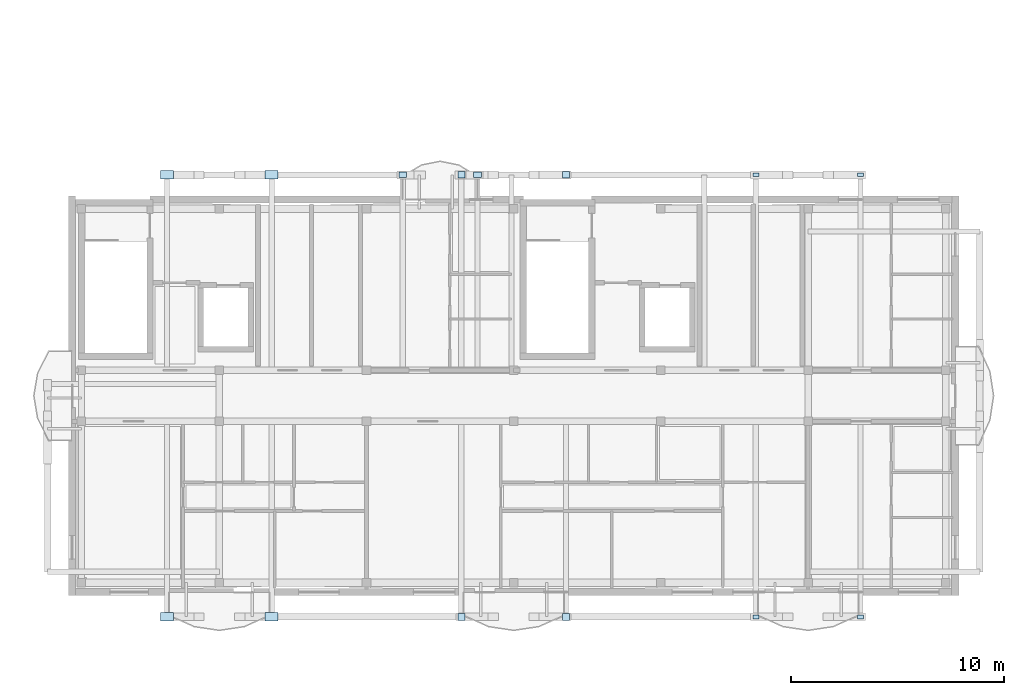
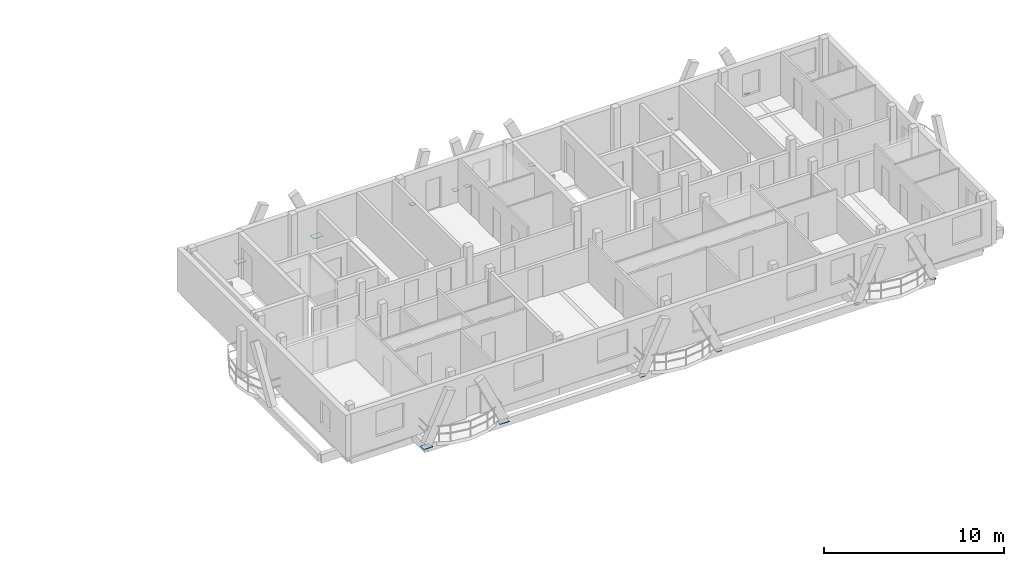
# One storey, part 11 of 41: 14 plates.
"""IFC4 building model written with IfcOpenShell, lengths in metres."""

from ifc_helpers import new_model, si_unit, direction, frame, origin, origin_2d, place, context, subcontext, project, spatial, rectangle, extrude, material, layer, layer_set, type_object, element, save


model = new_model("IFC4")

# Units and contexts
model_context = context("Model", 3, precision=1e-05, world=origin(), true_north=direction((0.0, 1.0)))
body_context = subcontext(model_context, "Body", "Model", "MODEL_VIEW")
ifc_project = project(units=[si_unit("LENGTHUNIT", "METRE"), si_unit("AREAUNIT", "SQUARE_METRE"), si_unit("VOLUMEUNIT", "CUBIC_METRE"), si_unit("PLANEANGLEUNIT", "RADIAN"), si_unit("MASSUNIT", "GRAM", prefix="KILO")], contexts=[model_context])

# Site, building, storey
site_placement = place(None, origin())
site = spatial("IfcSite", under=ifc_project, at=site_placement, CompositionType="ELEMENT")
building_placement = place(site_placement, origin())
building = spatial("IfcBuilding", under=site, at=building_placement, Name="Zavelmont Quarter", CompositionType="ELEMENT")
storey_placement = place(building_placement, frame((0.0, 0.0, 27.199951171875)))
storey = spatial("IfcBuildingStorey", under=building, at=storey_placement, Name="L08", CompositionType="ELEMENT", Elevation=27.199951171875)

# Plates
ifc_material = material(Name="Steel S355", Category="steel")
ifc_layer_1 = layer(ifc_material, 0.02001953125)
ifc_layer_set_1 = layer_set([ifc_layer_1], Name="Steel S355")
plate_type_1 = type_object("IfcPlateType", Name="NP01", PredefinedType="SHEET", material=ifc_layer_set_1)
for number, where, z_axis, x_axis, name in (
    (1, (158.647216796875, -1.162109375, -0.2099609375), (0.0, 0.0, 1.0), (1.0, 0.0, 0.0), "L08 steel connection plate NP01 at 24/A"),
    (2, (163.552734375, -1.162109375, -0.2099609375), (0.0, 0.0, 1.0), (1.0, 0.0, 0.0), "L08 steel connection plate NP01 at 24/A"),
    (3, (158.647216796875, 19.56201171875, -0.2099609375), (0.0, 0.0, 1.0), (1.0, 0.0, 0.0), "L08 steel connection plate NP01 at 24/D"),
    (4, (163.552734375, 19.56201171875, -0.2099609375), (0.0, 0.0, 1.0), (1.0, 0.0, 0.0), "L08 steel connection plate NP01 at 24/D"),
):
    element("IfcPlate", number, at=place(storey_placement, frame(where, z_axis=z_axis, x_axis=x_axis)), inside=storey, type_object=plate_type_1, Name=name, PredefinedType="SHEET", context=body_context, shape_type="SweptSolid", body=[
        extrude(rectangle(XDim=0.280029296875, YDim=0.179931640625, at=origin_2d()), origin(), (0.0, 0.0, 1.0), 0.02001953125),
    ])
ifc_layer_2 = layer(ifc_material, 0.02392578125)
ifc_layer_set_2 = layer_set([ifc_layer_2], Name="Steel S355")
plate_type_2 = type_object("IfcPlateType", Name="NP02", PredefinedType="SHEET", material=ifc_layer_set_2)
for number, where, z_axis, x_axis, name in (
    (5, (142.094482421875, 19.56201171875, -0.2119140625), (0.0, 0.0, 1.0), (1.0, 0.0, 0.0), "L08 steel connection plate NP02 at 21/D"),
    (6, (145.60546875, 19.56201171875, -0.2119140625), (0.0, 0.0, 1.0), (1.0, 0.0, 0.0), "L08 steel connection plate NP02 at 22/D"),
):
    element("IfcPlate", number, at=place(storey_placement, frame(where, z_axis=z_axis, x_axis=x_axis)), inside=storey, type_object=plate_type_2, Name=name, PredefinedType="SHEET", context=body_context, shape_type="SweptSolid", body=[
        extrude(rectangle(XDim=0.360107421875, YDim=0.260009765625, at=origin_2d()), origin(), (0.0, 0.0, 1.0), 0.02392578125),
    ])
ifc_layer_3 = layer(ifc_material, 0.030029296875)
ifc_layer_set_3 = layer_set([ifc_layer_3], Name="Steel S355")
plate_type_3 = type_object("IfcPlateType", Name="NP05", PredefinedType="SHEET", material=ifc_layer_set_3)
for number, where, z_axis, x_axis, name in (
    (7, (131.04736328125, -1.162109375, -0.21484375), (0.0, 0.0, 1.0), (1.0, 0.0, 0.0), "L08 steel connection plate NP05 at 20/A"),
    (8, (135.95263671875, -1.162109375, -0.21484375), (0.0, 0.0, 1.0), (1.0, 0.0, 0.0), "L08 steel connection plate NP05 at 20/A"),
    (9, (131.04736328125, 19.56201171875, -0.21484375), (0.0, 0.0, 1.0), (1.0, 0.0, 0.0), "L08 steel connection plate NP05 at 20/D"),
    (10, (135.95263671875, 19.56201171875, -0.21484375), (0.0, 0.0, 1.0), (1.0, 0.0, 0.0), "L08 steel connection plate NP05 at 20/D"),
):
    element("IfcPlate", number, at=place(storey_placement, frame(where, z_axis=z_axis, x_axis=x_axis)), inside=storey, type_object=plate_type_3, Name=name, PredefinedType="SHEET", context=body_context, shape_type="SweptSolid", body=[
        extrude(rectangle(XDim=0.60009765625, YDim=0.39990234375, at=origin_2d()), origin(), (0.0, 0.0, 1.0), 0.030029296875),
    ])
ifc_layer_4 = layer(ifc_material, 0.02197265625)
ifc_layer_set_4 = layer_set([ifc_layer_4], Name="Steel S355")
plate_type_4 = type_object("IfcPlateType", Name="NP06", PredefinedType="SHEET", material=ifc_layer_set_4)
for number, where, z_axis, x_axis, name in (
    (11, (144.847412109375, -1.162109375, -0.2109375), (0.0, 0.0, 1.0), (1.0, 0.0, 0.0), "L08 steel connection plate NP06 at 22/A"),
    (12, (149.752685546875, -1.162109375, -0.2109375), (0.0, 0.0, 1.0), (1.0, 0.0, 0.0), "L08 steel connection plate NP06 at 22/A"),
    (13, (144.847412109375, 19.56201171875, -0.2109375), (0.0, 0.0, 1.0), (1.0, 0.0, 0.0), "L08 steel connection plate NP06 at 22/D"),
    (14, (149.752685546875, 19.56201171875, -0.2109375), (0.0, 0.0, 1.0), (1.0, 0.0, 0.0), "L08 steel connection plate NP06 at 22/D"),
):
    element("IfcPlate", number, at=place(storey_placement, frame(where, z_axis=z_axis, x_axis=x_axis)), inside=storey, type_object=plate_type_4, Name=name, PredefinedType="SHEET", context=body_context, shape_type="SweptSolid", body=[
        extrude(rectangle(XDim=0.320068359375, YDim=0.320068359375, at=origin_2d()), origin(), (0.0, 0.0, 1.0), 0.02197265625),
    ])

save(model, "model.ifc")
